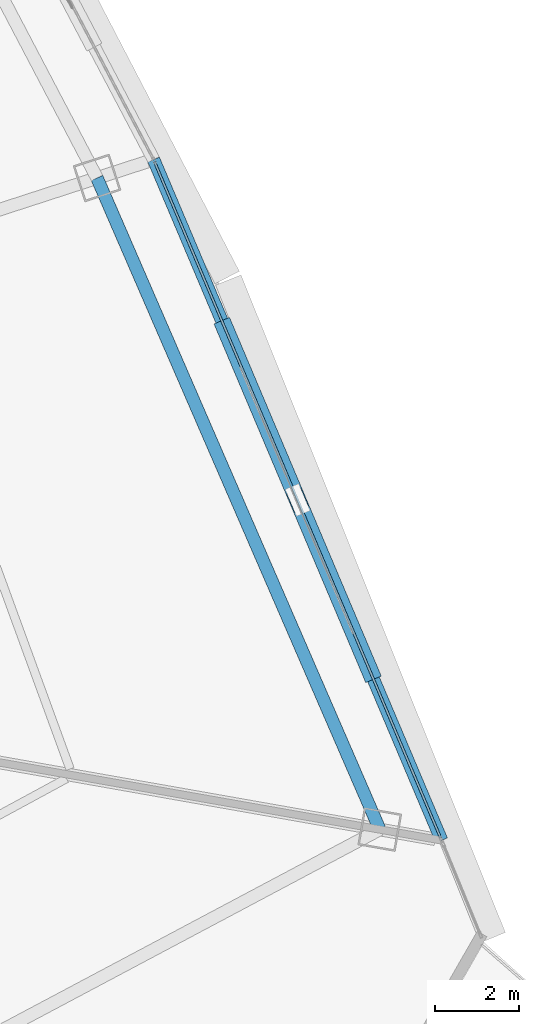
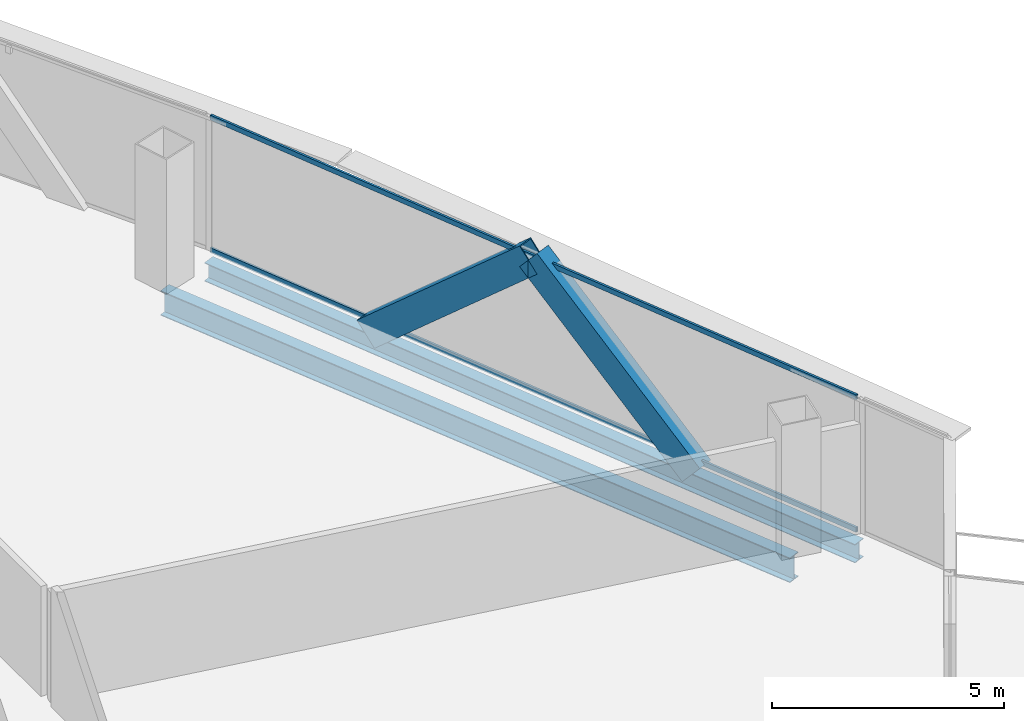
# One storey, part 24 of 36: 4 members, 2 beams, 1 element without a shape of its own.
"""IFC4 building model written with IfcOpenShell, lengths in metres."""

from ifc_helpers import new_model, si_unit, direction, frame, origin, origin_2d, place, context, subcontext, project, spatial, hollow_rectangle, i_section, extrude, source, transform, mapped, material, layer, layer_set, material_profile, profile_set, type_object, element, aggregate, save


model = new_model("IFC4")

# Units and contexts
model_context = context("Model", 3, precision=1e-05, world=origin(), true_north=direction((0.0, 1.0)))
body_context = subcontext(model_context, "Body", "Model", "MODEL_VIEW")
ifc_project = project(units=[si_unit("LENGTHUNIT", "METRE"), si_unit("AREAUNIT", "SQUARE_METRE"), si_unit("VOLUMEUNIT", "CUBIC_METRE"), si_unit("PLANEANGLEUNIT", "RADIAN"), si_unit("MASSUNIT", "GRAM", prefix="KILO"), si_unit("THERMODYNAMICTEMPERATUREUNIT", "KELVIN"), si_unit("POWERUNIT", "WATT")], contexts=[model_context])

# Site, building, storey
site_placement = place(None, origin())
site = spatial("IfcSite", under=ifc_project, at=site_placement, CompositionType="ELEMENT")
building_placement = place(site_placement, origin())
building = spatial("IfcBuilding", under=site, at=building_placement, Name="Yunzhuo Pagoda Commons", CompositionType="ELEMENT")
storey_placement = place(building_placement, frame((0.0, 0.0, 211.360107421875)))
storey = spatial("IfcBuildingStorey", under=building, at=storey_placement, Name="L53", CompositionType="ELEMENT", Elevation=211.360107421875)

# Beams
ifc_material_1 = material(Name="Structural steel Q355B", Category="steel")
ifc_material_profile_1 = material_profile(ifc_material_1, i_section(OverallWidth=0.300048828125, OverallDepth=0.64990234375, WebThickness=0.012939453125, FlangeThickness=0.02197265625, at=origin_2d()), Name="Structural steel Q355B")
ifc_profile_set_1 = profile_set([ifc_material_profile_1], Name="Structural steel Q355B")
beam_type_1 = type_object("IfcBeamType", Name="B-RG2 Beam HN 650x300x13x22", PredefinedType="BEAM", material=ifc_profile_set_1)
shared_shape_1 = source(origin(), body_context, "Body", "SweptSolid", [
    extrude(i_section(OverallWidth=0.300048828125, OverallDepth=0.64990234375, WebThickness=0.012939453125, FlangeThickness=0.02197265625, at=origin_2d()), origin(), (0.0, 0.0, 1.0), 16.859619140625),
])
beam_1_placement = place(storey_placement, frame((83.20654296875, 27.492431640625, -0.585205078125), z_axis=(-0.398104384161, 0.917340121935, 0.0), x_axis=(-0.917340121935, -0.398104384161, 0.0)))
element("IfcBeam", 1, at=beam_1_placement, inside=storey, type_object=beam_type_1, Name="L53 column-ring beam 5", PredefinedType="BEAM", context=body_context, shape_type="MappedRepresentation", body=[
    mapped(shared_shape_1, transform((0.0, 0.0, 0.0), scale=1.0)),
])
ifc_material_profile_2 = material_profile(ifc_material_1, i_section(OverallWidth=0.300048828125, OverallDepth=0.488037109375, WebThickness=0.010986328125, FlangeThickness=0.01806640625, at=origin_2d()), Name="Structural steel Q355B")
ifc_profile_set_2 = profile_set([ifc_material_profile_2], Name="Structural steel Q355B")
beam_type_2 = type_object("IfcBeamType", Name="B-SP1 Beam HM 488x300x11x18", PredefinedType="BEAM", material=ifc_profile_set_2)
shared_shape_2 = source(origin(), body_context, "Body", "SweptSolid", [
    extrude(i_section(OverallWidth=0.300048828125, OverallDepth=0.488037109375, WebThickness=0.010986328125, FlangeThickness=0.01806640625, at=origin_2d()), origin(), (0.0, 0.0, 1.0), 17.548828125),
])
beam_2_placement = place(storey_placement, frame((84.67529296875, 27.233154296875, -0.504150390625), z_axis=(-0.389608221454, 0.920980691315, 0.0), x_axis=(-0.920980691315, -0.389608221454, 0.0)))
element("IfcBeam", 2, at=beam_2_placement, inside=storey, type_object=beam_type_2, Name="L53 facade edge spandrel beam F2.1", PredefinedType="BEAM", context=body_context, shape_type="MappedRepresentation", body=[
    mapped(shared_shape_2, transform((0.0, 0.0, 0.0), scale=1.0)),
])

# Members
ifc_material_profile_3 = material_profile(ifc_material_1, hollow_rectangle(XDim=0.39990234375, YDim=0.719970703125, WallThickness=0.02392578125, at=origin_2d()), Name="Structural steel Q355B")
ifc_profile_set_3 = profile_set([ifc_material_profile_3], Name="Structural steel Q355B")
member_type_1 = type_object("IfcMemberType", Name="M-DL2 Brace BOX 720x400x24", PredefinedType="BRACE", material=ifc_profile_set_3)
shared_shape_3 = source(origin(), body_context, "Body", "SweptSolid", [
    extrude(hollow_rectangle(XDim=0.39990234375, YDim=0.719970703125, WallThickness=0.02392578125, at=origin_2d()), origin(), (0.0, 0.0, 1.0), 5.80419921875),
])
member_1_placement = place(storey_placement, frame((82.96630859375, 31.273681640625, -0.260009765625), z_axis=(-0.294570826269, 0.696151245859, 0.654676615743), x_axis=(-0.920945745211, -0.389690818955, 0.0)))
element("IfcMember", 3, at=member_1_placement, inside=storey, type_object=member_type_1, Name="L53 facade diamond brace F2.1L", PredefinedType="BRACE", context=body_context, shape_type="MappedRepresentation", body=[
    mapped(shared_shape_3, transform((0.0, 0.0, 0.0), scale=1.0)),
])
shared_shape_4 = source(origin(), body_context, "Body", "SweptSolid", [
    extrude(hollow_rectangle(XDim=0.39990234375, YDim=0.719970703125, WallThickness=0.02392578125, at=origin_2d()), origin(), (0.0, 0.0, 1.0), 5.8037109375),
])
member_2_placement = place(storey_placement, frame((79.547607421875, 39.3544921875, -0.260009765625), z_axis=(0.294464202265, -0.696155440469, 0.654720120579), x_axis=(0.920997204464, 0.389569184316, 0.0)))
element("IfcMember", 4, at=member_2_placement, inside=storey, type_object=member_type_1, Name="L53 facade diamond brace F2.1R", PredefinedType="BRACE", context=body_context, shape_type="MappedRepresentation", body=[
    mapped(shared_shape_4, transform((0.0, 0.0, 0.0), scale=1.0)),
])

# Curtain wall, members
ifc_material_2 = material(Name="Anodized aluminium 6063-T6", Category="aluminium")
ifc_layer = layer(ifc_material_2, 0.14990234375)
ifc_layer_set = layer_set([ifc_layer], Name="Anodized aluminium 6063-T6")
curtain_wall_type = type_object("IfcCurtainWallType", Name="CW-MID Mid-Zone Ribbon Curtain Wall", PredefinedType="NOTDEFINED", material=ifc_layer_set)
curtain_wall_placement = place(storey_placement, origin())
curtain_wall = element("IfcCurtainWall", 5, at=curtain_wall_placement, inside=storey, type_object=curtain_wall_type, Name="L53 curtain wall CW-L53-F2B2", PredefinedType="NOTDEFINED")
ifc_material_profile_4 = material_profile(ifc_material_2, hollow_rectangle(XDim=0.054931640625, YDim=0.1298828125, WallThickness=0.00341796875, at=origin_2d()), Name="Anodized aluminium 6063-T6")
ifc_profile_set_4 = profile_set([ifc_material_profile_4], Name="Anodized aluminium 6063-T6")
member_type_2 = type_object("IfcMemberType", Name="CW-MID-T Transom RHS 130x55x3.5", PredefinedType="USERDEFINED", material=ifc_profile_set_4)
shared_shape_5 = source(origin(), body_context, "Body", "SweptSolid", [
    extrude(hollow_rectangle(XDim=0.054931640625, YDim=0.1298828125, WallThickness=0.00341796875, at=origin_2d()), origin(), (0.0, 0.0, 1.0), 17.428466796875),
])
member_3_placement = place(storey_placement, frame((84.652099609375, 27.28857421875, 0.02734375), z_axis=(-0.389620797746, 0.920975370986, 0.0), x_axis=(-0.920975370986, -0.389620797746, 0.0)))
member_3 = element("IfcMember", 6, at=member_3_placement, type_object=member_type_2, Name="CW transom 1.1", ObjectType="TRANSOM", PredefinedType="USERDEFINED", context=body_context, shape_type="MappedRepresentation", body=[
    mapped(shared_shape_5, transform((0.0, 0.0, 0.0), scale=1.0)),
])
member_4_placement = place(storey_placement, frame((84.652099609375, 27.28857421875, 3.512451171875), z_axis=(-0.389620797746, 0.920975370986, 0.0), x_axis=(-0.920975370986, -0.389620797746, 0.0)))
member_4 = element("IfcMember", 7, at=member_4_placement, type_object=member_type_2, Name="CW transom 1.2", ObjectType="TRANSOM", PredefinedType="USERDEFINED", context=body_context, shape_type="MappedRepresentation", body=[
    mapped(shared_shape_5, transform((0.0, 0.0, 0.0), scale=1.0)),
])
aggregate(curtain_wall, [member_3, member_4])

save(model, "model.ifc")
